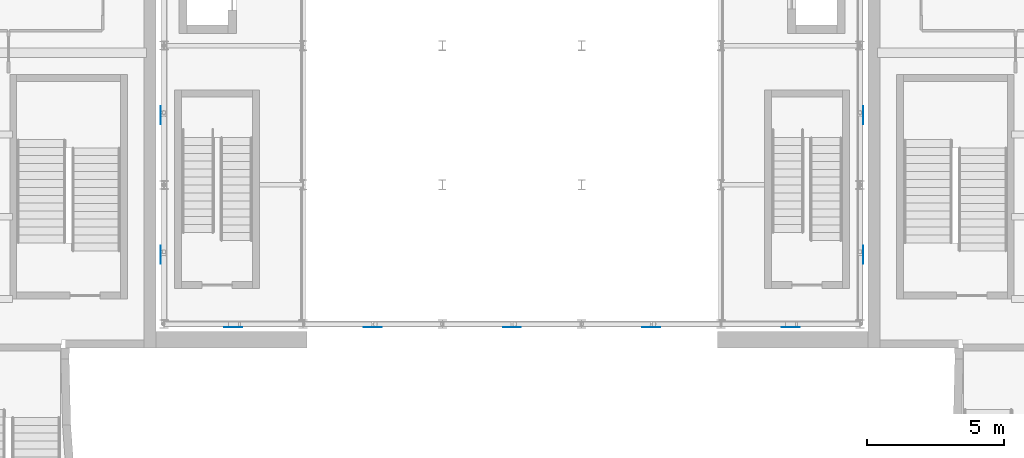
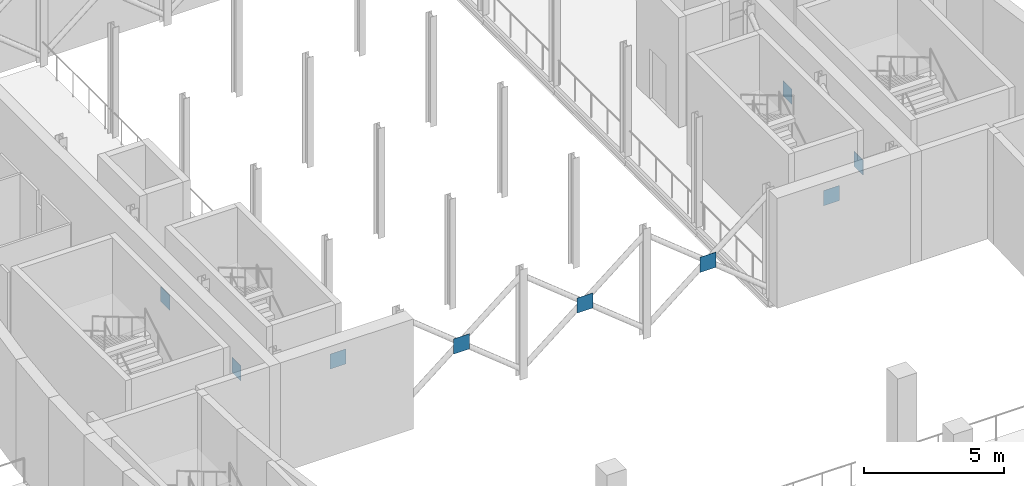
# One storey, part 48 of 93: 9 plates.
"""IFC4 building model written with IfcOpenShell, lengths in metres."""

from ifc_helpers import new_model, si_unit, direction, frame, origin, origin_2d, place, context, subcontext, project, spatial, rectangle, extrude, material, layer, layer_set, type_object, element, save


model = new_model("IFC4")

# Units and contexts
model_context = context("Model", 3, precision=1e-05, world=origin(), true_north=direction((0.0, 1.0)))
body_context = subcontext(model_context, "Body", "Model", "MODEL_VIEW")
ifc_project = project(units=[si_unit("LENGTHUNIT", "METRE"), si_unit("AREAUNIT", "SQUARE_METRE"), si_unit("VOLUMEUNIT", "CUBIC_METRE"), si_unit("PLANEANGLEUNIT", "RADIAN"), si_unit("MASSUNIT", "GRAM", prefix="KILO")], contexts=[model_context])

# Site, building, storey
site_placement = place(None, origin())
site = spatial("IfcSite", under=ifc_project, at=site_placement, CompositionType="ELEMENT")
building_placement = place(site_placement, origin())
building = spatial("IfcBuilding", under=site, at=building_placement, Name="Tide Square Theatres", CompositionType="ELEMENT")
storey_placement = place(building_placement, frame((0.0, 0.0, 5.39990234375)))
storey = spatial("IfcBuildingStorey", under=building, at=storey_placement, Name="L01", CompositionType="ELEMENT", Elevation=5.39990234375)

# Plates
ifc_material = material(Name="Steel ASTM A572 Grade 50", Category="steel")
ifc_layer = layer(ifc_material, 0.010009765625)
ifc_layer_set = layer_set([ifc_layer], Name="Steel ASTM A572 Grade 50")
plate_type = type_object("IfcPlateType", Name="Steel end plate 10 thick", PredefinedType="USERDEFINED", material=ifc_layer_set)
for number, where, z_axis, x_axis, name in (
    (1, (73.82080078125, 56.16357421875, 3.196533203125), (0.0, 0.0, 1.0), (0.0, -1.0, 0.0), "Fly tower brace crossing node plate"),
    (2, (78.910400390625, 56.16357421875, 2.071533203125), (0.0, 0.0, 1.0), (0.0, -1.0, 0.0), "Fly tower brace crossing node plate"),
    (3, (84.0, 56.16357421875, 2.071533203125), (0.0, 0.0, 1.0), (0.0, -1.0, 0.0), "Fly tower brace crossing node plate"),
    (4, (89.089599609375, 56.16357421875, 2.071533203125), (0.0, 0.0, 1.0), (0.0, -1.0, 0.0), "Fly tower brace crossing node plate"),
    (5, (94.17919921875, 56.16357421875, 3.196533203125), (0.0, 0.0, 1.0), (0.0, -1.0, 0.0), "Fly tower brace crossing node plate"),
    (6, (71.163330078125, 58.82080078125, 2.071533203125), (0.0, 0.0, 1.0), (-1.0, 0.0, 0.0), "Fly tower brace crossing node plate"),
    (7, (71.163330078125, 63.910400390625, 2.071533203125), (0.0, 0.0, 1.0), (-1.0, 0.0, 0.0), "Fly tower brace crossing node plate"),
    (8, (96.83642578125, 58.82080078125, 2.071533203125), (0.0, 0.0, 1.0), (1.0, 0.0, 0.0), "Fly tower brace crossing node plate"),
    (9, (96.83642578125, 63.910400390625, 2.071533203125), (0.0, 0.0, 1.0), (1.0, 0.0, 0.0), "Fly tower brace crossing node plate"),
):
    element("IfcPlate", number, at=place(storey_placement, frame(where, z_axis=z_axis, x_axis=x_axis)), inside=storey, type_object=plate_type, Name=name, ObjectType="END PLATE", PredefinedType="USERDEFINED", context=body_context, shape_type="SweptSolid", body=[
        extrude(rectangle(XDim=0.010009765625, YDim=0.6572265625, at=origin_2d()), origin(), (0.0, 0.0, 1.0), 0.6572265625),
    ])

save(model, "model.ifc")
